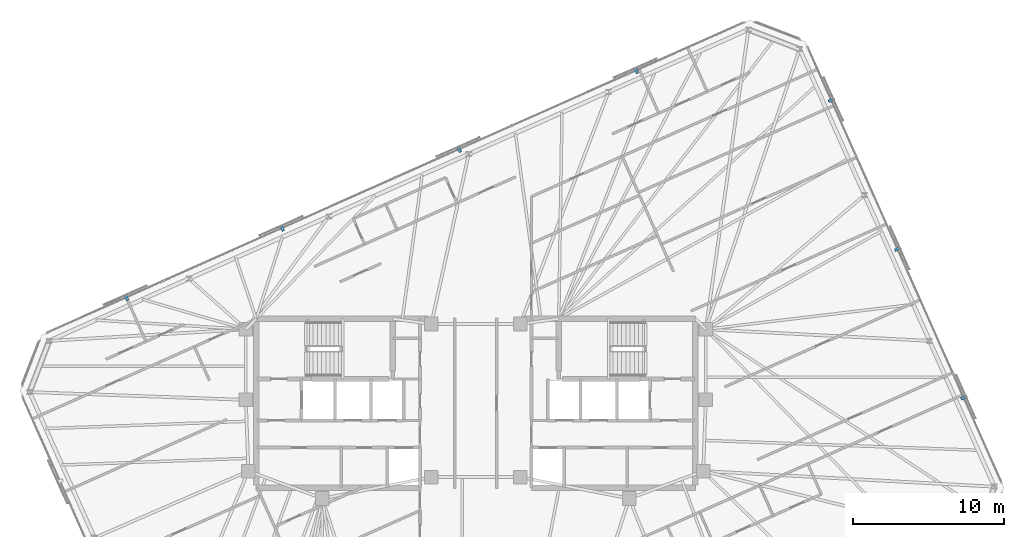
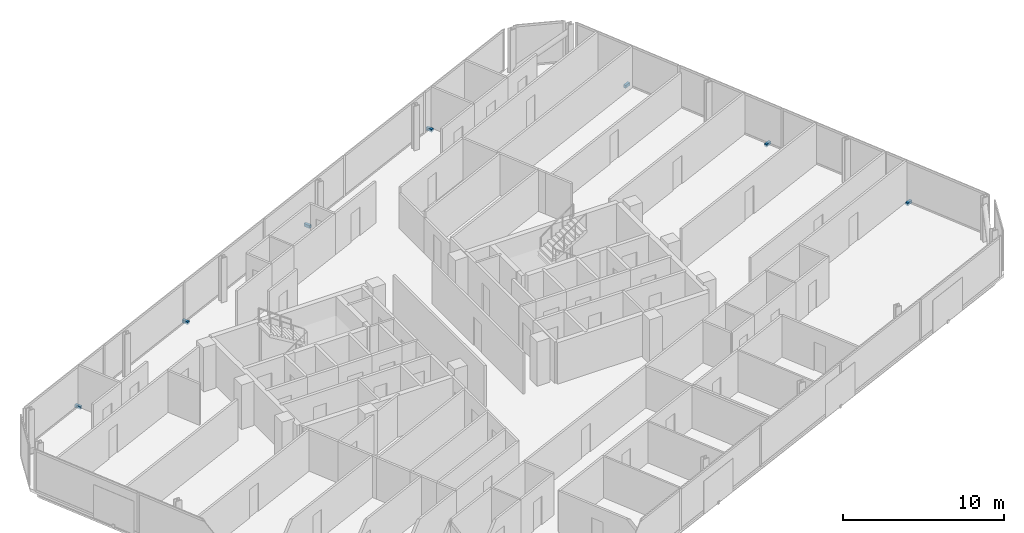
# One storey, part 18 of 19: 7 discrete accessories.
"""IFC4 building model written with IfcOpenShell, lengths in metres."""

from ifc_helpers import new_model, si_unit, direction, frame, origin, origin_2d, place, context, subcontext, project, spatial, rectangle, extrude, material, type_object, element, save


model = new_model("IFC4")

# Units and contexts
model_context = context("Model", 3, precision=1e-05, world=origin(), true_north=direction((0.0, 1.0)))
body_context = subcontext(model_context, "Body", "Model", "MODEL_VIEW")
ifc_project = project(units=[si_unit("LENGTHUNIT", "METRE"), si_unit("AREAUNIT", "SQUARE_METRE"), si_unit("VOLUMEUNIT", "CUBIC_METRE"), si_unit("PLANEANGLEUNIT", "RADIAN"), si_unit("MASSUNIT", "GRAM", prefix="KILO")], contexts=[model_context])

# Site, building, storey
site_placement = place(None, origin())
site = spatial("IfcSite", under=ifc_project, at=site_placement, CompositionType="ELEMENT")
building_placement = place(site_placement, origin())
building = spatial("IfcBuilding", under=site, at=building_placement, Name="Menara Jurai Vektor", CompositionType="ELEMENT")
storey_placement = place(building_placement, frame((0.0, 0.0, 281.89990234375)))
storey = spatial("IfcBuildingStorey", under=building, at=storey_placement, Name="L75", CompositionType="ELEMENT", Elevation=281.89990234375)

# Discrete accessories
ifc_material = material(Name="Steel S355", Category="steel")
discrete_accessory_type = type_object("IfcDiscreteAccessoryType", Name="ENV-ACC-BRACKET", PredefinedType="BRACKET", material=ifc_material)
for number, where, z_axis, x_axis, name in (
    (1, (32.376708984375, 0.36572265625, -0.1298828125), (0.0, 0.0, 1.0), (-0.406736643076, 0.913545457643, 0.0), "Solar Screen Stand-Off Bracket L75-S05"),
    (2, (27.98388671875, 10.23193359375, -0.1298828125), (0.0, 0.0, 1.0), (-0.406736643076, 0.913545457643, 0.0), "Solar Screen Stand-Off Bracket L75-S06"),
    (3, (23.59130859375, 20.098388671875, -0.1298828125), (0.0, 0.0, 1.0), (-0.406736643076, 0.913545457643, 0.0), "Solar Screen Stand-Off Bracket L75-S07"),
    (4, (10.633056640625, 22.07470703125, -0.1298828125), (0.0, 0.0, 1.0), (-0.913545457643, -0.406736643076, 0.0), "Solar Screen Stand-Off Bracket L75-S08"),
    (5, (-1.10595703125, 16.84814453125, -0.1298828125), (0.0, 0.0, 1.0), (-0.913545457643, -0.406736643076, 0.0), "Solar Screen Stand-Off Bracket L75-S09"),
    (6, (-12.84521484375, 11.62158203125, -0.1298828125), (0.0, 0.0, 1.0), (-0.913545457643, -0.406736643076, 0.0), "Solar Screen Stand-Off Bracket L75-S10"),
    (7, (-23.17529296875, 7.022216796875, -0.1298828125), (0.0, 0.0, 1.0), (-0.913545457643, -0.406736643076, 0.0), "Solar Screen Stand-Off Bracket L75-S11"),
):
    element("IfcDiscreteAccessory", number, at=place(storey_placement, frame(where, z_axis=z_axis, x_axis=x_axis)), inside=storey, type_object=discrete_accessory_type, Name=name, PredefinedType="BRACKET", context=body_context, shape_type="SweptSolid", body=[
        extrude(rectangle(XDim=0.179931640625, YDim=0.43994140625, at=origin_2d()), origin(), (0.0, 0.0, 1.0), 0.219970703125),
    ])

save(model, "model.ifc")
